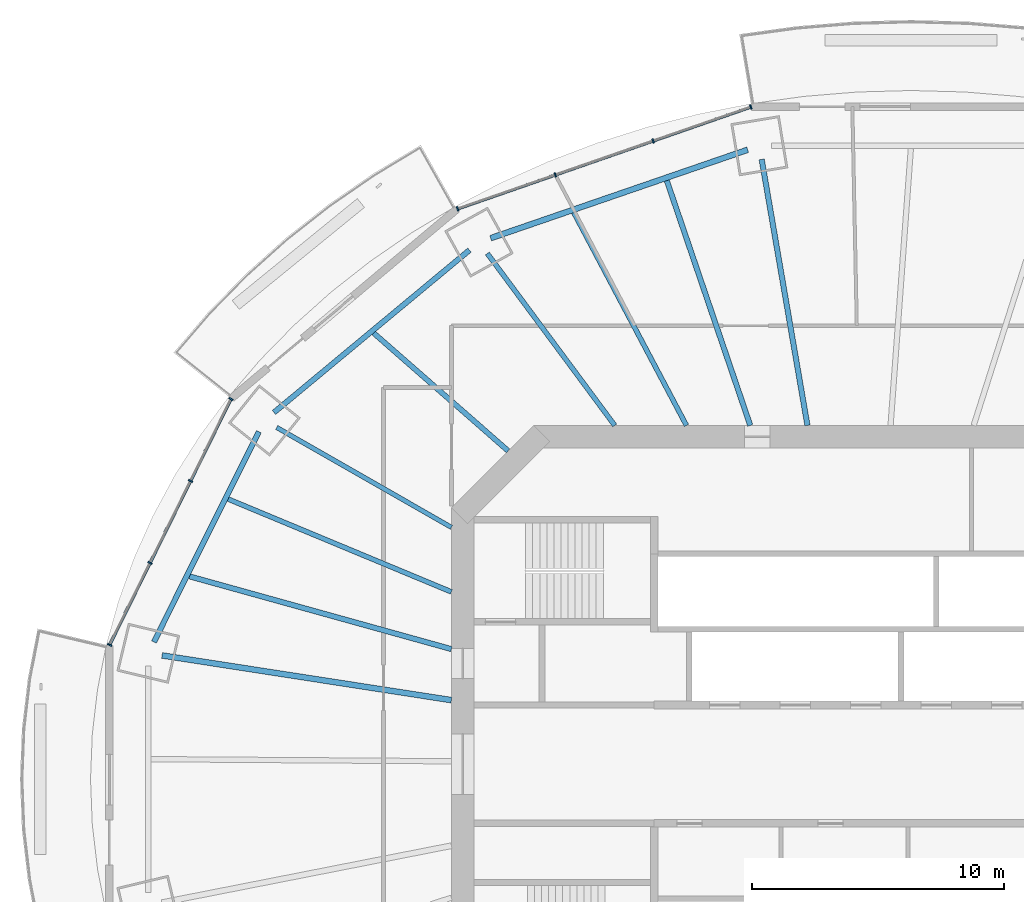
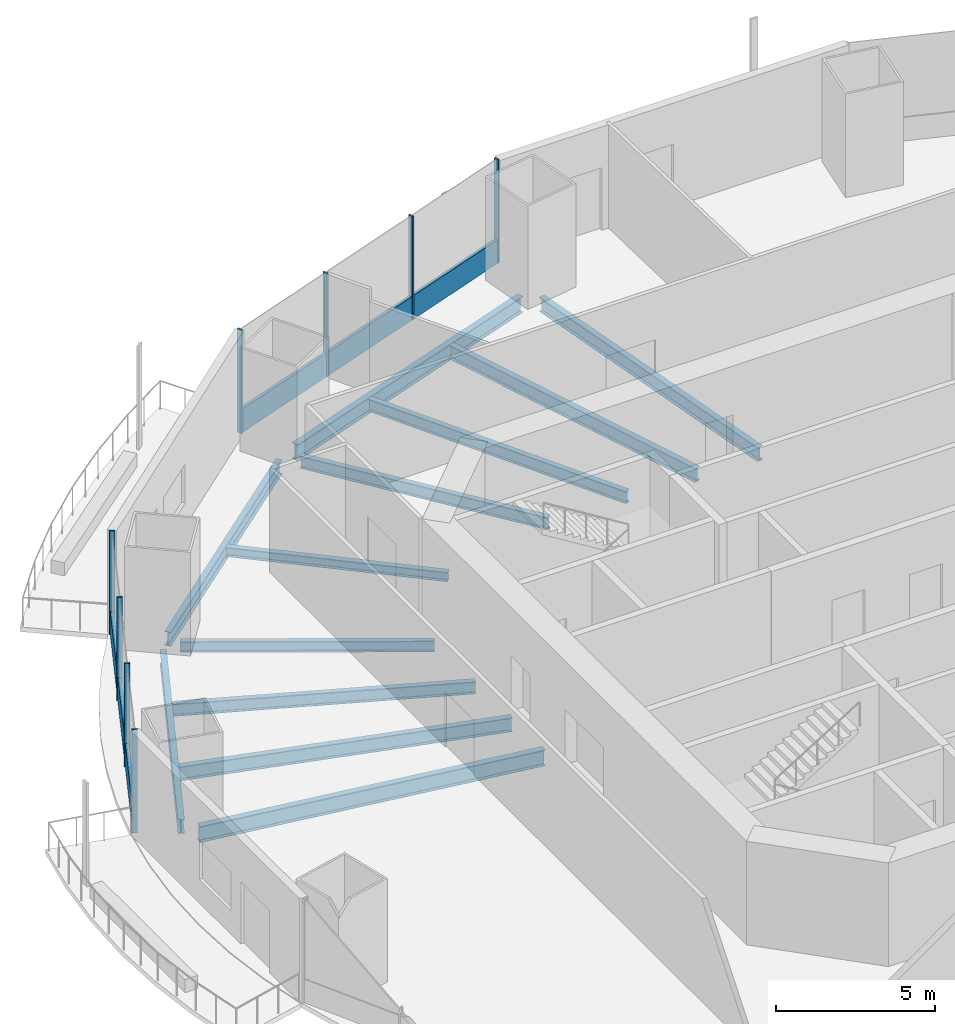
# One storey, part 6 of 20: 12 beams, 10 members, 2 elements without a shape of their own.
"""IFC4 building model written with IfcOpenShell, lengths in metres."""

from ifc_helpers import new_model, si_unit, direction, frame, origin, origin_2d, place, context, subcontext, project, spatial, rectangle, i_section, extrude, material, material_profile, profile_set, type_object, element, aggregate, save


model = new_model("IFC4")

# Units and contexts
model_context = context("Model", 3, precision=1e-05, world=origin(), true_north=direction((0.0, 1.0)))
body_context = subcontext(model_context, "Body", "Model", "MODEL_VIEW")
ifc_project = project(units=[si_unit("LENGTHUNIT", "METRE"), si_unit("AREAUNIT", "SQUARE_METRE"), si_unit("VOLUMEUNIT", "CUBIC_METRE"), si_unit("PLANEANGLEUNIT", "RADIAN"), si_unit("MASSUNIT", "GRAM", prefix="KILO")], contexts=[model_context])

# Site, building, storey
site_placement = place(None, origin())
site = spatial("IfcSite", under=ifc_project, at=site_placement, CompositionType="ELEMENT")
building_placement = place(site_placement, origin())
building = spatial("IfcBuilding", under=site, at=building_placement, Name="Marenthal Gate Tower", CompositionType="ELEMENT")
storey_placement = place(building_placement, frame((0.0, 0.0, 173.5)))
storey = spatial("IfcBuildingStorey", under=building, at=storey_placement, Name="L37", CompositionType="ELEMENT", Elevation=173.5)

# Curtain wall, members
ifc_material_1 = material(Name="Aluminium and glass", Category="aluminium")
curtain_wall_type = type_object("IfcCurtainWallType", Name="Curtain wall typical mid", PredefinedType="NOTDEFINED", material=ifc_material_1)
curtain_wall_1_placement = place(storey_placement, origin())
curtain_wall_1 = element("IfcCurtainWall", 1, at=curtain_wall_1_placement, inside=storey, type_object=curtain_wall_type, Name="Curtain wall L37 bay 5", PredefinedType="NOTDEFINED")
ifc_material_2 = material(Name="Aluminium", Category="aluminium")
ifc_material_profile_1 = material_profile(ifc_material_2, rectangle(XDim=0.179931640625, YDim=0.06005859375, at=origin_2d()), Name="60x180 aluminium mullion")
ifc_profile_set_1 = profile_set([ifc_material_profile_1], Name="Aluminium")
member_type_1 = type_object("IfcMemberType", Name="Mullion 60x180 typical mid", PredefinedType="MULLION", material=ifc_profile_set_1)
member_1_placement = place(storey_placement, frame((-4.560302734375, 26.093017578125, 0.0), z_axis=(0.0, 0.0, 1.0), x_axis=(0.32821091538, -0.944604464856, 0.0)))
member_1 = element("IfcMember", 2, at=member_1_placement, type_object=member_type_1, Name="Mullion L37 bay 5.1", PredefinedType="MULLION", context=body_context, shape_type="SweptSolid", body=[
    extrude(rectangle(XDim=0.179931640625, YDim=0.06005859375, at=origin_2d()), origin(), (0.0, 0.0, 1.0), 3.969970703125),
])
member_2_placement = place(storey_placement, frame((-8.44140625, 24.74462890625, 0.0), z_axis=(0.0, 0.0, 1.0), x_axis=(0.32821091538, -0.944604464856, 0.0)))
member_2 = element("IfcMember", 3, at=member_2_placement, type_object=member_type_1, Name="Mullion L37 bay 5.2", PredefinedType="MULLION", context=body_context, shape_type="SweptSolid", body=[
    extrude(rectangle(XDim=0.179931640625, YDim=0.06005859375, at=origin_2d()), origin(), (0.0, 0.0, 1.0), 3.969970703125),
])
member_3_placement = place(storey_placement, frame((-12.322509765625, 23.39599609375, 0.0), z_axis=(0.0, 0.0, 1.0), x_axis=(0.32821091538, -0.944604464856, 0.0)))
member_3 = element("IfcMember", 4, at=member_3_placement, type_object=member_type_1, Name="Mullion L37 bay 5.3", PredefinedType="MULLION", context=body_context, shape_type="SweptSolid", body=[
    extrude(rectangle(XDim=0.179931640625, YDim=0.06005859375, at=origin_2d()), origin(), (0.0, 0.0, 1.0), 3.969970703125),
])
member_4_placement = place(storey_placement, frame((-16.20361328125, 22.04736328125, 0.0), z_axis=(0.0, 0.0, 1.0), x_axis=(0.32821091538, -0.944604464856, 0.0)))
member_4 = element("IfcMember", 5, at=member_4_placement, type_object=member_type_1, Name="Mullion L37 bay 5.4", PredefinedType="MULLION", context=body_context, shape_type="SweptSolid", body=[
    extrude(rectangle(XDim=0.179931640625, YDim=0.06005859375, at=origin_2d()), origin(), (0.0, 0.0, 1.0), 3.969970703125),
])

curtain_wall_2_placement = place(storey_placement, origin())
curtain_wall_2 = element("IfcCurtainWall", 6, at=curtain_wall_2_placement, inside=storey, type_object=curtain_wall_type, Name="Curtain wall L37 bay 7", PredefinedType="NOTDEFINED")
member_5_placement = place(storey_placement, frame((-25.2001953125, 14.4990234375, 0.0), z_axis=(0.0, 0.0, 1.0), x_axis=(0.89664343149, -0.442753381428, 0.0)))
member_5 = element("IfcMember", 7, at=member_5_placement, type_object=member_type_1, Name="Mullion L37 bay 7.1", PredefinedType="MULLION", context=body_context, shape_type="SweptSolid", body=[
    extrude(rectangle(XDim=0.179931640625, YDim=0.06005859375, at=origin_2d()), origin(), (0.0, 0.0, 1.0), 3.969970703125),
])
member_6_placement = place(storey_placement, frame((-26.806884765625, 11.24560546875, 0.0), z_axis=(0.0, 0.0, 1.0), x_axis=(0.89664343149, -0.442753381428, 0.0)))
member_6 = element("IfcMember", 8, at=member_6_placement, type_object=member_type_1, Name="Mullion L37 bay 7.2", PredefinedType="MULLION", context=body_context, shape_type="SweptSolid", body=[
    extrude(rectangle(XDim=0.179931640625, YDim=0.06005859375, at=origin_2d()), origin(), (0.0, 0.0, 1.0), 3.969970703125),
])
member_7_placement = place(storey_placement, frame((-28.413330078125, 7.991943359375, 0.0), z_axis=(0.0, 0.0, 1.0), x_axis=(0.89664343149, -0.442753381428, 0.0)))
member_7 = element("IfcMember", 9, at=member_7_placement, type_object=member_type_1, Name="Mullion L37 bay 7.3", PredefinedType="MULLION", context=body_context, shape_type="SweptSolid", body=[
    extrude(rectangle(XDim=0.179931640625, YDim=0.06005859375, at=origin_2d()), origin(), (0.0, 0.0, 1.0), 3.969970703125),
])
member_8_placement = place(storey_placement, frame((-30.02001953125, 4.738525390625, 0.0), z_axis=(0.0, 0.0, 1.0), x_axis=(0.89664343149, -0.442753381428, 0.0)))
member_8 = element("IfcMember", 10, at=member_8_placement, type_object=member_type_1, Name="Mullion L37 bay 7.4", PredefinedType="MULLION", context=body_context, shape_type="SweptSolid", body=[
    extrude(rectangle(XDim=0.179931640625, YDim=0.06005859375, at=origin_2d()), origin(), (0.0, 0.0, 1.0), 3.969970703125),
])

# Member
ifc_material_3 = material(Name="Aluminium", Category="aluminium")
ifc_material_profile_2 = material_profile(ifc_material_3, rectangle(XDim=0.1201171875, YDim=0.89990234375, at=origin_2d()), Name="120x900 aluminium transom")
ifc_profile_set_2 = profile_set([ifc_material_profile_2], Name="Aluminium")
member_type_2 = type_object("IfcMemberType", Name="Transom 120x900 typical mid", PredefinedType="USERDEFINED", material=ifc_profile_set_2)
member_9_placement = place(storey_placement, frame((-4.588623046875, 26.083251953125, 0.449951171875), z_axis=(-0.944604688319, -0.328210272243, 0.0), x_axis=(0.328210272243, -0.944604688319, 0.0)))
member_9 = element("IfcMember", 11, at=member_9_placement, type_object=member_type_2, Name="Transom L37 bay 5", ObjectType="TRANSOM", PredefinedType="USERDEFINED", context=body_context, shape_type="SweptSolid", body=[
    extrude(rectangle(XDim=0.1201171875, YDim=0.89990234375, at=origin_2d()), origin(), (0.0, 0.0, 1.0), 12.26611328125),
])

aggregate(curtain_wall_1, [member_1, member_2, member_3, member_4, member_9])

member_10_placement = place(storey_placement, frame((-25.213623046875, 14.47216796875, 0.449951171875), z_axis=(-0.442760838876, -0.896639749039, 0.0), x_axis=(0.896639749039, -0.442760838876, 0.0)))
member_10 = element("IfcMember", 12, at=member_10_placement, type_object=member_type_2, Name="Transom L37 bay 7", ObjectType="TRANSOM", PredefinedType="USERDEFINED", context=body_context, shape_type="SweptSolid", body=[
    extrude(rectangle(XDim=0.1201171875, YDim=0.89990234375, at=origin_2d()), origin(), (0.0, 0.0, 1.0), 10.82568359375),
])

aggregate(curtain_wall_2, [member_5, member_6, member_7, member_8, member_10])

# Beams
ifc_material_4 = material(Name="Steel S355", Category="steel")
ifc_material_profile_3 = material_profile(ifc_material_4, i_section(OverallWidth=0.205078125, OverallDepth=0.35302734375, WebThickness=0.009521484375, FlangeThickness=0.016845703125, FilletRadius=0.014892578125, at=origin_2d()), Name="W360X79")
ifc_profile_set_3 = profile_set([ifc_material_profile_3], Name="Steel S355")
beam_type_1 = type_object("IfcBeamType", Name="W360X79 beam", PredefinedType="BEAM", material=ifc_profile_set_3)
beam_1_placement = place(storey_placement, frame((-19.533203125, 17.115234375, -0.3564453125), z_axis=(0.752145945083, -0.6589965685, 0.0), x_axis=(0.6589965685, 0.752145945083, 0.0)))
element("IfcBeam", 13, at=beam_1_placement, inside=storey, type_object=beam_type_1, Name="BM-L37-25", PredefinedType="BEAM", context=body_context, shape_type="SweptSolid", body=[
    extrude(i_section(OverallWidth=0.205078125, OverallDepth=0.35302734375, WebThickness=0.009521484375, FlangeThickness=0.016845703125, FilletRadius=0.014892578125, at=origin_2d()), origin(), (0.0, 0.0, 1.0), 7.094970703125),
])
ifc_material_5 = material(Name="Steel S355", Category="steel")
ifc_material_profile_4 = material_profile(ifc_material_5, i_section(OverallWidth=0.180908203125, OverallDepth=0.4169921875, WebThickness=0.010986328125, FlangeThickness=0.018310546875, FilletRadius=0.01025390625, at=origin_2d()), Name="W410X85")
ifc_profile_set_4 = profile_set([ifc_material_profile_4], Name="Steel S355")
beam_type_2 = type_object("IfcBeamType", Name="W410X85 beam", PredefinedType="BEAM", material=ifc_profile_set_4)
beam_2_placement = place(storey_placement, frame((-23.38427734375, 13.36865234375, -0.388427734375), z_axis=(0.868141553632, -0.496316675981, 0.0), x_axis=(0.496316675981, 0.868141553632, 0.0)))
element("IfcBeam", 14, at=beam_2_placement, inside=storey, type_object=beam_type_2, Name="BM-L37-07", PredefinedType="BEAM", context=body_context, shape_type="SweptSolid", body=[
    extrude(i_section(OverallWidth=0.180908203125, OverallDepth=0.4169921875, WebThickness=0.010986328125, FlangeThickness=0.018310546875, FilletRadius=0.01025390625, at=origin_2d()), origin(), (0.0, 0.0, 1.0), 7.987548828125),
])
ifc_material_6 = material(Name="Steel S355", Category="steel")
ifc_material_profile_5 = material_profile(ifc_material_6, i_section(OverallWidth=0.193115234375, OverallDepth=0.467041015625, WebThickness=0.011474609375, FlangeThickness=0.01904296875, FilletRadius=0.010009765625, at=origin_2d()), Name="W460X97")
ifc_profile_set_5 = profile_set([ifc_material_profile_5], Name="Steel S355")
beam_type_3 = type_object("IfcBeamType", Name="W460X97 beam", PredefinedType="BEAM", material=ifc_profile_set_5)
beam_3_placement = place(storey_placement, frame((-15.021484375, 20.274658203125, -0.41357421875), z_axis=(0.595307973616, -0.803497614526, 0.0), x_axis=(0.803497614526, 0.595307973616, 0.0)))
element("IfcBeam", 15, at=beam_3_placement, inside=storey, type_object=beam_type_3, Name="BM-L37-06", PredefinedType="BEAM", context=body_context, shape_type="SweptSolid", body=[
    extrude(i_section(OverallWidth=0.193115234375, OverallDepth=0.467041015625, WebThickness=0.011474609375, FlangeThickness=0.01904296875, FilletRadius=0.010009765625, at=origin_2d()), origin(), (0.0, 0.0, 1.0), 8.49365234375),
])
beam_4_placement = place(storey_placement, frame((-11.58984375, 21.89794921875, -0.41357421875), z_axis=(0.4677832695, -0.883843205991, 0.0), x_axis=(0.883843205991, 0.4677832695, 0.0)))
element("IfcBeam", 16, at=beam_4_placement, inside=storey, type_object=beam_type_3, Name="BM-L37-24", PredefinedType="BEAM", context=body_context, shape_type="SweptSolid", body=[
    extrude(i_section(OverallWidth=0.193115234375, OverallDepth=0.467041015625, WebThickness=0.011474609375, FlangeThickness=0.01904296875, FilletRadius=0.010009765625, at=origin_2d()), origin(), (0.0, 0.0, 1.0), 9.558349609375),
])
beam_5_placement = place(storey_placement, frame((-25.31201171875, 10.52587890625, -0.41357421875), z_axis=(0.923343865931, -0.383974094499, 0.0), x_axis=(0.383974094499, 0.923343865931, 0.0)))
element("IfcBeam", 17, at=beam_5_placement, inside=storey, type_object=beam_type_3, Name="BM-L37-26", PredefinedType="BEAM", context=body_context, shape_type="SweptSolid", body=[
    extrude(i_section(OverallWidth=0.193115234375, OverallDepth=0.467041015625, WebThickness=0.011474609375, FlangeThickness=0.01904296875, FilletRadius=0.010009765625, at=origin_2d()), origin(), (0.0, 0.0, 1.0), 9.597900390625),
])
ifc_material_7 = material(Name="Steel S355", Category="steel")
ifc_material_profile_6 = material_profile(ifc_material_7, i_section(OverallWidth=0.2099609375, OverallDepth=0.535888671875, WebThickness=0.010986328125, FlangeThickness=0.017333984375, FilletRadius=0.0126953125, at=origin_2d()), Name="W530X101")
ifc_profile_set_6 = profile_set([ifc_material_profile_6], Name="Steel S355")
beam_type_4 = type_object("IfcBeamType", Name="W530X101 beam", PredefinedType="BEAM", material=ifc_profile_set_6)
beam_6_placement = place(storey_placement, frame((-7.89697265625, 23.16845703125, -0.447998046875), z_axis=(0.32261921926, -0.946528837048, 0.0), x_axis=(0.946528837048, 0.32261921926, 0.0)))
element("IfcBeam", 18, at=beam_6_placement, inside=storey, type_object=beam_type_4, Name="BM-L37-23", PredefinedType="BEAM", context=body_context, shape_type="SweptSolid", body=[
    extrude(i_section(OverallWidth=0.2099609375, OverallDepth=0.535888671875, WebThickness=0.010986328125, FlangeThickness=0.017333984375, FilletRadius=0.0126953125, at=origin_2d()), origin(), (0.0, 0.0, 1.0), 10.267578125),
])
beam_7_placement = place(storey_placement, frame((-26.8427734375, 7.4560546875, -0.447998046875), z_axis=(0.963522125079, -0.267628687706, 0.0), x_axis=(0.267628687706, 0.963522125079, 0.0)))
element("IfcBeam", 19, at=beam_7_placement, inside=storey, type_object=beam_type_4, Name="BM-L37-27", PredefinedType="BEAM", context=body_context, shape_type="SweptSolid", body=[
    extrude(i_section(OverallWidth=0.2099609375, OverallDepth=0.535888671875, WebThickness=0.010986328125, FlangeThickness=0.017333984375, FilletRadius=0.0126953125, at=origin_2d()), origin(), (0.0, 0.0, 1.0), 10.786376953125),
])
ifc_material_8 = material(Name="Steel S355", Category="steel")
ifc_material_profile_7 = material_profile(ifc_material_8, i_section(OverallWidth=0.2119140625, OverallDepth=0.5439453125, WebThickness=0.01318359375, FlangeThickness=0.021240234375, FilletRadius=0.0126953125, at=origin_2d()), Name="W530X123")
ifc_profile_set_7 = profile_set([ifc_material_profile_7], Name="Steel S355")
beam_type_5 = type_object("IfcBeamType", Name="W530X123 beam", PredefinedType="BEAM", material=ifc_profile_set_7)
beam_8_placement = place(storey_placement, frame((-4.130615234375, 24.01123046875, -0.451904296875), z_axis=(0.169542999371, -0.98552279089, 0.0), x_axis=(0.98552279089, 0.169542999371, 0.0)))
element("IfcBeam", 20, at=beam_8_placement, inside=storey, type_object=beam_type_5, Name="BM-L37-05", PredefinedType="BEAM", context=body_context, shape_type="SweptSolid", body=[
    extrude(i_section(OverallWidth=0.2119140625, OverallDepth=0.5439453125, WebThickness=0.01318359375, FlangeThickness=0.021240234375, FilletRadius=0.0126953125, at=origin_2d()), origin(), (0.0, 0.0, 1.0), 10.71630859375),
])
beam_9_placement = place(storey_placement, frame((-15.73291015625, 20.409423828125, -0.451904296875), z_axis=(-0.769263759488, -0.638931348689, 0.0), x_axis=(0.638931348689, -0.769263759488, 0.0)))
element("IfcBeam", 21, at=beam_9_placement, inside=storey, type_object=beam_type_5, Name="BM-L37-46", PredefinedType="BEAM", context=body_context, shape_type="SweptSolid", body=[
    extrude(i_section(OverallWidth=0.2119140625, OverallDepth=0.5439453125, WebThickness=0.01318359375, FlangeThickness=0.021240234375, FilletRadius=0.0126953125, at=origin_2d()), origin(), (0.0, 0.0, 1.0), 10.087158203125),
])
beam_10_placement = place(storey_placement, frame((-24.095703125, 13.202392578125, -0.451904296875), z_axis=(-0.446271515311, -0.894897611251, 0.0), x_axis=(0.894897611251, -0.446271515311, 0.0)))
element("IfcBeam", 22, at=beam_10_placement, inside=storey, type_object=beam_type_5, Name="BM-L37-47", PredefinedType="BEAM", context=body_context, shape_type="SweptSolid", body=[
    extrude(i_section(OverallWidth=0.2119140625, OverallDepth=0.5439453125, WebThickness=0.01318359375, FlangeThickness=0.021240234375, FilletRadius=0.0126953125, at=origin_2d()), origin(), (0.0, 0.0, 1.0), 9.331787109375),
])
ifc_material_9 = material(Name="Steel S355", Category="steel")
ifc_material_profile_8 = material_profile(ifc_material_9, i_section(OverallWidth=0.22900390625, OverallDepth=0.612060546875, WebThickness=0.011962890625, FlangeThickness=0.01953125, FilletRadius=0.0126953125, at=origin_2d()), Name="W610X125")
ifc_profile_set_8 = profile_set([ifc_material_profile_8], Name="Steel S355")
beam_type_6 = type_object("IfcBeamType", Name="W610X125 beam", PredefinedType="BEAM", material=ifc_profile_set_8)
beam_11_placement = place(storey_placement, frame((-27.936767578125, 4.318603515625, -0.486083984375), z_axis=(0.988262414361, -0.152765835062, 0.0), x_axis=(0.152765835062, 0.988262414361, 0.0)))
element("IfcBeam", 23, at=beam_11_placement, inside=storey, type_object=beam_type_6, Name="BM-L37-08", PredefinedType="BEAM", context=body_context, shape_type="SweptSolid", body=[
    extrude(i_section(OverallWidth=0.22900390625, OverallDepth=0.612060546875, WebThickness=0.011962890625, FlangeThickness=0.01953125, FilletRadius=0.0126953125, at=origin_2d()), origin(), (0.0, 0.0, 1.0), 11.623291015625),
])
beam_12_placement = place(storey_placement, frame((-4.68603515625, 24.394287109375, -0.486083984375), z_axis=(-0.945598979252, -0.325334551559, 0.0), x_axis=(0.325334551559, -0.945598979252, 0.0)))
element("IfcBeam", 24, at=beam_12_placement, inside=storey, type_object=beam_type_6, Name="BM-L37-45", PredefinedType="BEAM", context=body_context, shape_type="SweptSolid", body=[
    extrude(i_section(OverallWidth=0.22900390625, OverallDepth=0.612060546875, WebThickness=0.011962890625, FlangeThickness=0.01953125, FilletRadius=0.0126953125, at=origin_2d()), origin(), (0.0, 0.0, 1.0), 10.7919921875),
])

save(model, "model.ifc")
